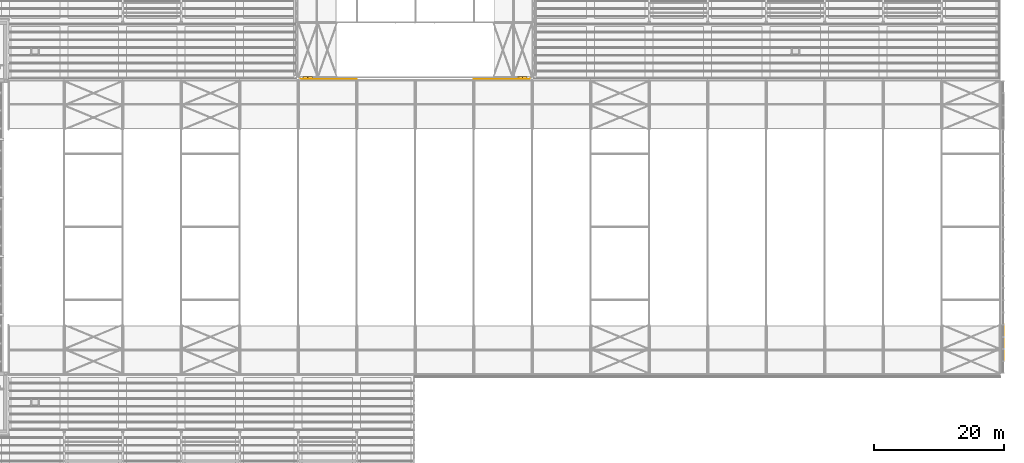
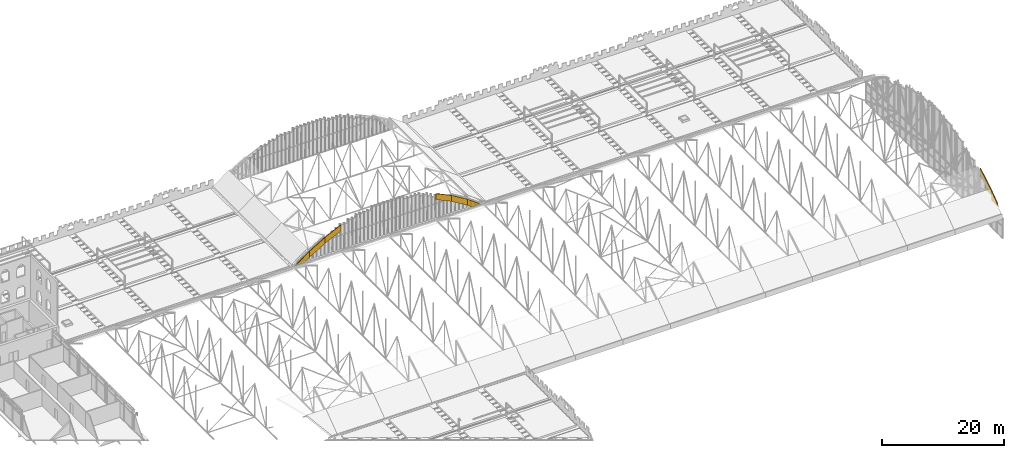
# One storey, part 145 of 153: 13 coverings.
"""IFC4 building model written with IfcOpenShell, lengths in metres."""

from ifc_helpers import new_model, si_unit, direction, frame, origin, place, context, subcontext, project, spatial, polyline, outline, extrude, material, layer, layer_set, type_object, element, save


model = new_model("IFC4")

# Units and contexts
model_context = context("Model", 3, precision=1e-05, world=origin(), true_north=direction((0.0, 1.0)))
body_context = subcontext(model_context, "Body", "Model", "MODEL_VIEW")
ifc_project = project(units=[si_unit("LENGTHUNIT", "METRE"), si_unit("AREAUNIT", "SQUARE_METRE"), si_unit("VOLUMEUNIT", "CUBIC_METRE"), si_unit("PLANEANGLEUNIT", "RADIAN"), si_unit("MASSUNIT", "GRAM", prefix="KILO")], contexts=[model_context])

# Site, building, storey
site_placement = place(None, origin())
site = spatial("IfcSite", under=ifc_project, at=site_placement, CompositionType="ELEMENT")
building_placement = place(site_placement, origin())
building = spatial("IfcBuilding", under=site, at=building_placement, Name="Baradari Gate Terminus", CompositionType="ELEMENT")
storey_placement = place(building_placement, frame((0.0, 0.0, 11.699951171875)))
storey = spatial("IfcBuildingStorey", under=building, at=storey_placement, Name="L02", CompositionType="ELEMENT", Elevation=11.699951171875)

# Coverings
ifc_material_1 = material(Name="Sandstone", Category="masonry")
ifc_layer_1 = layer(ifc_material_1, 0.14990234375)
ifc_layer_set_1 = layer_set([ifc_layer_1], Name="Sandstone")
covering_type_1 = type_object("IfcCoveringType", Name="Hall gable arch band", PredefinedType="CLADDING", material=ifc_layer_set_1)
covering_1_placement = place(storey_placement, frame((135.0, 81.387451171875, 0.234619140625), z_axis=(0.0, 0.0, 1.0), x_axis=(1.0, 0.0, 0.0)))
element("IfcCovering", 1, at=covering_1_placement, inside=storey, type_object=covering_type_1, Name="Hall gable arch band S1", PredefinedType="CLADDING", context=body_context, shape_type="SweptSolid", body=[
    extrude(outline(polyline([(0.389892578125, 0.0), (2.017333984375, 0.0), (3.0, 0.724609375), (3.0, 1.924560546875), (0.389892578125, 0.0)])), frame((0.0, 0.074951171875, 0.0), z_axis=(0.0, -1.0, 0.0), x_axis=(1.0, 0.0, 0.0)), (0.0, 0.0, 1.0), 0.14990234375),
])
covering_2_placement = place(storey_placement, frame((138.0, 81.387451171875, 0.959228515625), z_axis=(0.0, 0.0, 1.0), x_axis=(1.0, 0.0, 0.0)))
element("IfcCovering", 2, at=covering_2_placement, inside=storey, type_object=covering_type_1, Name="Hall gable arch band S2", PredefinedType="CLADDING", context=body_context, shape_type="SweptSolid", body=[
    extrude(outline(polyline([(0.0, 1.199951171875), (0.0, 0.0), (3.0, 1.81005859375), (3.0, 3.010009765625), (0.0, 1.199951171875)])), frame((0.0, 0.074951171875, 0.0), z_axis=(0.0, -1.0, 0.0), x_axis=(1.0, 0.0, 0.0)), (0.0, 0.0, 1.0), 0.14990234375),
])
covering_3_placement = place(storey_placement, frame((141.0, 81.387451171875, 2.769287109375), z_axis=(0.0, 0.0, 1.0), x_axis=(1.0, 0.0, 0.0)))
element("IfcCovering", 3, at=covering_3_placement, inside=storey, type_object=covering_type_1, Name="Hall gable arch band S3", PredefinedType="CLADDING", context=body_context, shape_type="SweptSolid", body=[
    extrude(outline(polyline([(0.0, 1.199951171875), (0.0, 0.0), (3.0, 1.407958984375), (3.0, 2.60791015625), (0.0, 1.199951171875)])), frame((0.0, 0.074951171875, 0.0), z_axis=(0.0, -1.0, 0.0), x_axis=(1.0, 0.0, 0.0)), (0.0, 0.0, 1.0), 0.14990234375),
])
covering_4_placement = place(storey_placement, frame((162.0, 81.387451171875, 2.759033203125), z_axis=(0.0, 0.0, 1.0), x_axis=(1.0, 0.0, 0.0)))
element("IfcCovering", 4, at=covering_4_placement, inside=storey, type_object=covering_type_1, Name="Hall gable arch band S10", PredefinedType="CLADDING", context=body_context, shape_type="SweptSolid", body=[
    extrude(outline(polyline([(0.0, 2.610107421875), (0.0, 1.41015625), (3.0, 0.0), (3.0, 1.2001953125), (0.0, 2.610107421875)])), frame((0.0, 0.074951171875, 0.0), z_axis=(0.0, -1.0, 0.0), x_axis=(1.0, 0.0, 0.0)), (0.0, 0.0, 1.0), 0.14990234375),
])
covering_5_placement = place(storey_placement, frame((165.0, 81.387451171875, 0.947021484375), z_axis=(0.0, 0.0, 1.0), x_axis=(1.0, 0.0, 0.0)))
element("IfcCovering", 5, at=covering_5_placement, inside=storey, type_object=covering_type_1, Name="Hall gable arch band S11", PredefinedType="CLADDING", context=body_context, shape_type="SweptSolid", body=[
    extrude(outline(polyline([(0.0, 3.01220703125), (0.0, 1.81201171875), (3.0, 0.0), (3.0, 1.2001953125), (0.0, 3.01220703125)])), frame((0.0, 0.074951171875, 0.0), z_axis=(0.0, -1.0, 0.0), x_axis=(1.0, 0.0, 0.0)), (0.0, 0.0, 1.0), 0.14990234375),
])
covering_6_placement = place(storey_placement, frame((168.0, 81.387451171875, 0.234619140625), z_axis=(0.0, 0.0, 1.0), x_axis=(1.0, 0.0, 0.0)))
element("IfcCovering", 6, at=covering_6_placement, inside=storey, type_object=covering_type_1, Name="Hall gable arch band S12", PredefinedType="CLADDING", context=body_context, shape_type="SweptSolid", body=[
    extrude(outline(polyline([(0.9716796875, 0.0), (2.608154296875, 0.0), (0.0, 1.91259765625), (0.0, 0.71240234375), (0.9716796875, 0.0)])), frame((0.0, 0.074951171875, 0.0), z_axis=(0.0, -1.0, 0.0), x_axis=(1.0, 0.0, 0.0)), (0.0, 0.0, 1.0), 0.14990234375),
])
ifc_material_2 = material(Name="Sandstone", Category="masonry")
ifc_layer_2 = layer(ifc_material_2, 0.14990234375)
ifc_layer_set_2 = layer_set([ifc_layer_2], Name="Sandstone")
covering_type_2 = type_object("IfcCoveringType", Name="Hall gable spring infill", PredefinedType="CLADDING", material=ifc_layer_set_2)
covering_7_placement = place(storey_placement, frame((135.75, 81.550048828125, 0.234619140625), z_axis=(0.0, 0.0, 1.0), x_axis=(1.0, 0.0, 0.0)))
element("IfcCovering", 7, at=covering_7_placement, inside=storey, type_object=covering_type_2, Name="Hall gable spring infill S2", PredefinedType="CLADDING", context=body_context, shape_type="SweptSolid", body=[
    extrude(outline(polyline([(0.0, 0.0), (0.75, 0.0), (0.75, 0.786865234375), (0.0, 0.23681640625), (0.0, 0.0)])), frame((0.0, 0.074951171875, 0.0), z_axis=(0.0, -1.0, 0.0), x_axis=(1.0, 0.0, 0.0)), (0.0, 0.0, 1.0), 0.14990234375),
])
covering_8_placement = place(storey_placement, frame((136.5, 81.550048828125, 0.234619140625), z_axis=(0.0, 0.0, 1.0), x_axis=(1.0, 0.0, 0.0)))
element("IfcCovering", 8, at=covering_8_placement, inside=storey, type_object=covering_type_2, Name="Hall gable spring infill S3", PredefinedType="CLADDING", context=body_context, shape_type="SweptSolid", body=[
    extrude(outline(polyline([(0.0, 0.0), (0.75, 0.0), (0.75, 1.3369140625), (0.0, 0.786865234375), (0.0, 0.0)])), frame((0.0, 0.074951171875, 0.0), z_axis=(0.0, -1.0, 0.0), x_axis=(1.0, 0.0, 0.0)), (0.0, 0.0, 1.0), 0.14990234375),
])
covering_9_placement = place(storey_placement, frame((168.75, 81.550048828125, 0.234619140625), z_axis=(0.0, 0.0, 1.0), x_axis=(1.0, 0.0, 0.0)))
element("IfcCovering", 9, at=covering_9_placement, inside=storey, type_object=covering_type_2, Name="Hall gable spring infill S46", PredefinedType="CLADDING", context=body_context, shape_type="SweptSolid", body=[
    extrude(outline(polyline([(0.0, 0.0), (0.75, 0.0), (0.75, 0.786865234375), (0.0, 1.3369140625), (0.0, 0.0)])), frame((0.0, 0.074951171875, 0.0), z_axis=(0.0, -1.0, 0.0), x_axis=(1.0, 0.0, 0.0)), (0.0, 0.0, 1.0), 0.14990234375),
])
covering_10_placement = place(storey_placement, frame((169.5, 81.550048828125, 0.234619140625), z_axis=(0.0, 0.0, 1.0), x_axis=(1.0, 0.0, 0.0)))
element("IfcCovering", 10, at=covering_10_placement, inside=storey, type_object=covering_type_2, Name="Hall gable spring infill S47", PredefinedType="CLADDING", context=body_context, shape_type="SweptSolid", body=[
    extrude(outline(polyline([(0.0, 0.0), (0.75, 0.0), (0.75, 0.23681640625), (0.0, 0.786865234375), (0.0, 0.0)])), frame((0.0, 0.074951171875, 0.0), z_axis=(0.0, -1.0, 0.0), x_axis=(1.0, 0.0, 0.0)), (0.0, 0.0, 1.0), 0.14990234375),
])
ifc_material_3 = material(Name="Sandstone cladding", Category="masonry")
ifc_layer_3 = layer(ifc_material_3, 0.14990234375)
ifc_layer_set_3 = layer_set([ifc_layer_3], Name="Sandstone cladding")
covering_type_3 = type_object("IfcCoveringType", Name="Shed gable arch band GB2 150", PredefinedType="CLADDING", material=ifc_layer_set_3)
covering_11_placement = place(storey_placement, frame((243.449951171875, 37.875, 0.800048828125), z_axis=(0.0, 0.0, 1.0), x_axis=(0.0, 1.0, 0.0)))
element("IfcCovering", 11, at=covering_11_placement, inside=storey, type_object=covering_type_3, Name="Shed gable arch band 01b", PredefinedType="CLADDING", context=body_context, shape_type="SweptSolid", body=[
    extrude(outline(polyline([(1.875, 0.0), (1.875, 1.865966796875), (0.0, 0.490966796875), (0.0, 0.0), (1.875, 0.0)])), frame((0.0, 0.074951171875, 0.0), z_axis=(0.0, -1.0, 0.0), x_axis=(1.0, 0.0, 0.0)), (0.0, 0.0, 1.0), 0.14990234375),
])
covering_12_placement = place(storey_placement, frame((243.449951171875, 39.75, 1.800048828125), z_axis=(0.0, 0.0, 1.0), x_axis=(0.0, 1.0, 0.0)))
element("IfcCovering", 12, at=covering_12_placement, inside=storey, type_object=covering_type_3, Name="Shed gable arch band 02a", PredefinedType="CLADDING", context=body_context, shape_type="SweptSolid", body=[
    extrude(outline(polyline([(1.875, 0.0), (1.875, 2.004150390625), (0.0, 0.879150390625), (0.0, 0.0), (1.875, 0.0)])), frame((0.0, 0.074951171875, 0.0), z_axis=(0.0, -1.0, 0.0), x_axis=(1.0, 0.0, 0.0)), (0.0, 0.0, 1.0), 0.14990234375),
])
covering_13_placement = place(storey_placement, frame((243.449951171875, 41.625, 3.300048828125), z_axis=(0.0, 0.0, 1.0), x_axis=(0.0, 1.0, 0.0)))
element("IfcCovering", 13, at=covering_13_placement, inside=storey, type_object=covering_type_3, Name="Shed gable arch band 02b", PredefinedType="CLADDING", context=body_context, shape_type="SweptSolid", body=[
    extrude(outline(polyline([(1.875, 0.0), (1.875, 1.629150390625), (0.0, 0.504150390625), (0.0, 0.0), (1.875, 0.0)])), frame((0.0, 0.074951171875, 0.0), z_axis=(0.0, -1.0, 0.0), x_axis=(1.0, 0.0, 0.0)), (0.0, 0.0, 1.0), 0.14990234375),
])

save(model, "model.ifc")
